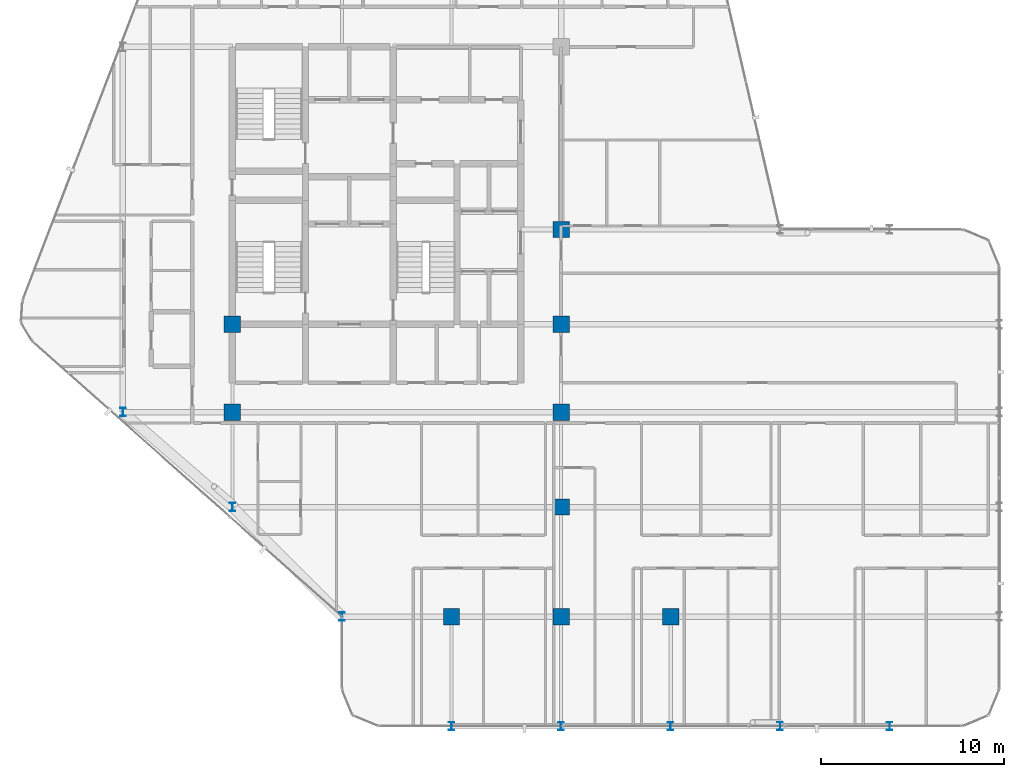
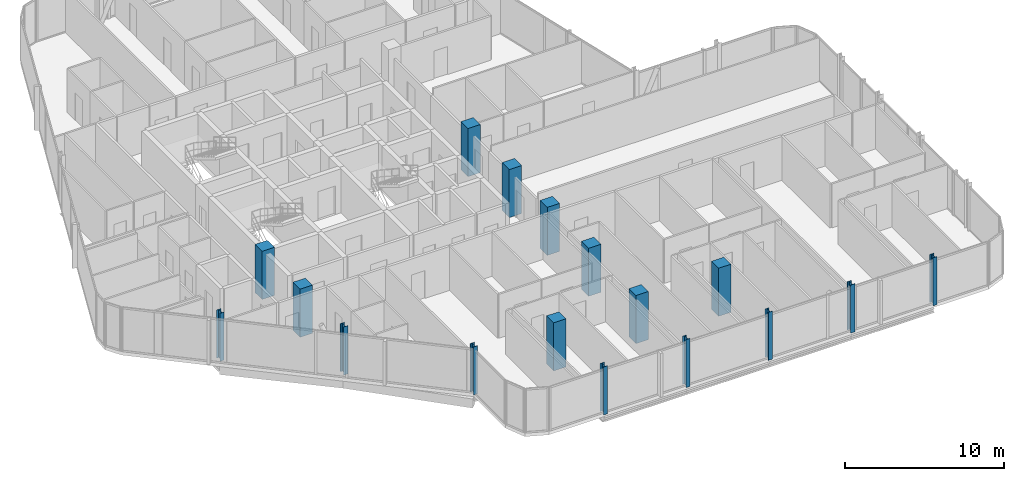
# One storey, part 1 of 29: 17 columns.
"""IFC4 building model written with IfcOpenShell, lengths in metres."""

import ifcopenshell
import ifcopenshell.guid

model = None  # the IFC model being written
_history = None  # IfcOwnerHistory: only IFC2X3 demands one
_inside = {}  # id of a spatial element -> (the spatial element, [elements in it])
_under = {}  # id of a project, library or spatial element -> (it, [spatial elements below it])
_declared = {}  # id of a project -> (the project, [libraries it declares])
_typed = {}  # id of a type object -> (the type object, [elements of that type])
_made_of = {}  # id of a material, layer set ... -> (it, [elements and type objects made of it])


def new_model(schema):
    """Start an empty IFC model of exactly this schema.

    Asked for "IFC4X3", IfcOpenShell would pick the latest addendum, in which some entities
    have other attributes; the version numbers below select the first issue.
    IFC2X3 requires an IfcOwnerHistory on every rooted entity: one is made here for all.
    """
    global model, _history
    if schema == "IFC4X3":
        model = ifcopenshell.file(schema_version=(4, 3, 0, 0))
    else:
        model = ifcopenshell.file(schema=schema)
    _inside.clear()
    _under.clear()
    _declared.clear()
    _typed.clear()
    _made_of.clear()
    _history = None
    if model.schema == "IFC2X3":
        org = make("IfcOrganization", Name="unknown")
        user = make(
            "IfcPersonAndOrganization",
            ThePerson=make("IfcPerson", FamilyName="unknown"),
            TheOrganization=org,
        )
        app = make(
            "IfcApplication",
            ApplicationDeveloper=org,
            Version="unknown",
            ApplicationFullName="unknown",
            ApplicationIdentifier="unknown",
        )
        _history = make(
            "IfcOwnerHistory",
            OwningUser=user,
            OwningApplication=app,
            ChangeAction="ADDED",
            CreationDate=0,
        )
    return model


def make(cls, **values):
    """One entity of the class cls with the attributes given. An attribute that is None is left unset."""
    return model.create_entity(
        cls, **{name: value for name, value in values.items() if value is not None}
    )


def rooted(cls, **values):
    """An entity with a GlobalId (a new one), such as an element, a storey or a relation."""
    return make(cls, GlobalId=ifcopenshell.guid.new(), OwnerHistory=_history, **values)


def si_unit(unit_type, name, prefix=None):
    """IfcSIUnit, for example si_unit("LENGTHUNIT", "METRE", prefix="MILLI")."""
    return make("IfcSIUnit", UnitType=unit_type, Prefix=prefix, Name=name)


def assignment(units):
    """IfcUnitAssignment: the units of a project."""
    return None if units is None else make("IfcUnitAssignment", Units=units)


def point(xyz):
    """IfcCartesianPoint."""
    return None if xyz is None else make("IfcCartesianPoint", Coordinates=xyz)


def direction(xyz):
    """IfcDirection."""
    return None if xyz is None else make("IfcDirection", DirectionRatios=xyz)


def frame(location, z_axis=None, x_axis=None):
    """IfcAxis2Placement3D, a coordinate frame: its origin and axes. An axis left out is left unset."""
    return make(
        "IfcAxis2Placement3D",
        Location=point(location),
        Axis=direction(z_axis),
        RefDirection=direction(x_axis),
    )


def frame_2d(location, x_axis=None):
    """IfcAxis2Placement2D, a coordinate frame in the plane: its origin and x axis."""
    return make(
        "IfcAxis2Placement2D", Location=point(location), RefDirection=direction(x_axis)
    )


def origin():
    """The frame at (0, 0, 0) with its axes left unset."""
    return frame((0.0, 0.0, 0.0))


def origin_2d():
    """The frame at (0, 0) in the plane with its x axis left unset."""
    return frame_2d((0.0, 0.0))


def place(relative_to, where):
    """IfcLocalPlacement: puts the frame where relative to a parent placement (None: the world)."""
    return make(
        "IfcLocalPlacement", PlacementRelTo=relative_to, RelativePlacement=where
    )


def context(
    kind, dimensions, precision=None, world=None, true_north=None, identifier=None
):
    """IfcGeometricRepresentationContext, for example the 3D "Model" context."""
    return make(
        "IfcGeometricRepresentationContext",
        ContextIdentifier=identifier,
        ContextType=kind,
        CoordinateSpaceDimension=dimensions,
        Precision=precision,
        WorldCoordinateSystem=world,
        TrueNorth=true_north,
    )


def subcontext(parent, identifier, kind, view, scale=None):
    """IfcGeometricRepresentationSubContext, for example "Body" below "Model"."""
    return make(
        "IfcGeometricRepresentationSubContext",
        ContextIdentifier=identifier,
        ContextType=kind,
        ParentContext=parent,
        TargetScale=scale,
        TargetView=view,
    )


def project(units=None, contexts=None):
    """IfcProject with its units and contexts."""
    return rooted(
        "IfcProject",
        Name="project",
        RepresentationContexts=contexts,
        UnitsInContext=assignment(units),
    )


def spatial(cls, under=None, at=None, **own):
    """A site, building, storey or space (cls), placed at a placement, below another one or the project."""
    s = rooted(cls, ObjectPlacement=at, **own)
    if under is not None:
        _under.setdefault(under.id(), (under, []))[1].append(s)
    return s


def profile(cls, at=None, kind="AREA", **sizes):
    """A parametric profile (cls). Its sizes go by their IFC names, for example OverallWidth=200.0."""
    return make(cls, ProfileType=kind, Position=at, **sizes)


def rectangle(**sizes):
    """IfcRectangleProfileDef."""
    return profile("IfcRectangleProfileDef", **sizes)


def i_section(**sizes):
    """IfcIShapeProfileDef."""
    return profile("IfcIShapeProfileDef", **sizes)


def extrude(swept, where, along, depth):
    """IfcExtrudedAreaSolid: the profile swept, set in the frame where, extruded along a direction by depth."""
    return make(
        "IfcExtrudedAreaSolid",
        SweptArea=swept,
        Position=where,
        ExtrudedDirection=direction(along),
        Depth=depth,
    )


def shape(context_of_items, identifier, shape_type, items):
    """IfcShapeRepresentation: the items that make up one representation, for example the "Body"."""
    return make(
        "IfcShapeRepresentation",
        ContextOfItems=context_of_items,
        RepresentationIdentifier=identifier,
        RepresentationType=shape_type,
        Items=items,
    )


def material(Name=None, Category=None):
    """IfcMaterial."""
    return make("IfcMaterial", Name=Name, Category=Category)


def material_profile(
    of_material, cross_section, Name=None, Category=None, Priority=None
):
    """IfcMaterialProfile: a cross section and its material."""
    return make(
        "IfcMaterialProfile",
        Name=Name,
        Material=of_material,
        Profile=cross_section,
        Priority=Priority,
        Category=Category,
    )


def profile_set(profiles, Name=None, composite=None):
    """IfcMaterialProfileSet."""
    return make(
        "IfcMaterialProfileSet",
        Name=Name,
        MaterialProfiles=profiles,
        CompositeProfile=composite,
    )


def made_of(thing, what):
    """Note that an element or type object is made of a material, layer set ...; save() writes the relation."""
    if what is not None:
        _made_of.setdefault(what.id(), (what, []))[1].append(thing)
    return thing


def type_object(cls, material=None, **own):
    """A type object (cls), such as IfcWallType, which elements share."""
    return made_of(rooted(cls, **own), material)


def element(
    cls,
    number,
    at=None,
    inside=None,
    cuts=None,
    type_object=None,
    material=None,
    context=None,
    identifier="Body",
    shape_type=None,
    held_by="IfcProductDefinitionShape",
    body=None,
    shapes=None,
    **own,
):
    """One element of the class cls, such as IfcWall. Its Tag is "e" and its number.

    at: its placement. inside: the storey or other place that contains it. cuts: it is an
    opening in that element (IfcRelVoidsElement). A single representation is given by context,
    identifier, shape_type and body (its items); several are given by shapes. held_by: the class
    of the entity that holds the representations. save() writes the other relations.
    """
    e = rooted(cls, Tag="e%d" % number, ObjectPlacement=at, **own)
    if body is not None:
        shapes = [shape(context, identifier, shape_type, body)]
    if shapes is not None:
        e.Representation = make(held_by, Representations=shapes)
    if inside is not None:
        _inside.setdefault(inside.id(), (inside, []))[1].append(e)
    if cuts is not None:
        rooted(
            "IfcRelVoidsElement", RelatingBuildingElement=cuts, RelatedOpeningElement=e
        )
    if type_object is not None:
        _typed.setdefault(type_object.id(), (type_object, []))[1].append(e)
    return made_of(e, material)


def aggregate(whole, parts):
    """IfcRelAggregates: a whole, such as a stair, and the parts it consists of."""
    return rooted("IfcRelAggregates", RelatingObject=whole, RelatedObjects=parts)


def save(model, path):
    """Write the relations noted so far, then the file.

    IfcRelAggregates (storeys below a building ...), IfcRelContainedInSpatialStructure (elements
    in a storey), IfcRelDefinesByType, IfcRelAssociatesMaterial and IfcRelDeclares: one each for
    every whole, place, type object, material and project.
    """
    for whole, parts in _under.values():
        aggregate(whole, parts)
    for where, things in _inside.values():
        rooted(
            "IfcRelContainedInSpatialStructure",
            RelatedElements=things,
            RelatingStructure=where,
        )
    for kind, things in _typed.values():
        rooted("IfcRelDefinesByType", RelatedObjects=things, RelatingType=kind)
    for what, things in _made_of.values():
        rooted("IfcRelAssociatesMaterial", RelatedObjects=things, RelatingMaterial=what)
    for by, libraries in _declared.values():
        rooted("IfcRelDeclares", RelatingContext=by, RelatedDefinitions=libraries)
    model.write(path)


model = new_model("IFC4")

# Units and contexts
model_context = context("Model", 3, precision=1e-05, world=origin(), true_north=direction((0.0, 1.0)))
body_context = subcontext(model_context, "Body", "Model", "MODEL_VIEW")
ifc_project = project(units=[si_unit("LENGTHUNIT", "METRE"), si_unit("AREAUNIT", "SQUARE_METRE"), si_unit("VOLUMEUNIT", "CUBIC_METRE"), si_unit("PLANEANGLEUNIT", "RADIAN"), si_unit("MASSUNIT", "GRAM", prefix="KILO")], contexts=[model_context])

# Site, building, storey
site_placement = place(None, origin())
site = spatial("IfcSite", under=ifc_project, at=site_placement, CompositionType="ELEMENT")
building_placement = place(site_placement, origin())
building = spatial("IfcBuilding", under=site, at=building_placement, Name="Keshet Zoharim Tower", CompositionType="ELEMENT")
storey_placement = place(building_placement, frame((0.0, 0.0, 180.199951171875)))
storey = spatial("IfcBuildingStorey", under=building, at=storey_placement, Name="L44", CompositionType="ELEMENT", Elevation=180.199951171875)

# Columns
ifc_material_1 = material(Name="Steel S355", Category="steel")
ifc_material_profile_1 = material_profile(ifc_material_1, i_section(OverallWidth=0.300048828125, OverallDepth=0.449951171875, WebThickness=0.013916015625, FlangeThickness=0.02587890625, FilletRadius=0.027099609375, at=origin_2d()), Name="HEB450")
ifc_profile_set_1 = profile_set([ifc_material_profile_1], Name="Steel S355")
column_type_1 = type_object("IfcColumnType", Name="COL-HEB450", PredefinedType="COLUMN", material=ifc_profile_set_1)
for number, where, z_axis, x_axis, name in (
    (1, (9.0, 17.89990234375, 0.0), (0.0, 0.0, 1.0), (1.0, 0.0, 0.0), "L44 Column 2D"),
    (2, (15.0, 12.699951171875, 0.0), (0.0, 0.0, 1.0), (1.0, 0.0, 0.0), "L44 Column 3C"),
    (3, (21.0, 6.699951171875, 0.0), (0.0, 0.0, 1.0), (1.0, 0.0, 0.0), "L44 Column 4B"),
    (4, (27.0, 0.699951171875, 0.0), (0.0, 0.0, 1.0), (1.0, 0.0, 0.0), "L44 Column 5A"),
    (5, (33.0, 0.699951171875, 0.0), (0.0, 0.0, 1.0), (1.0, 0.0, 0.0), "L44 Column 6A"),
    (6, (39.0, 0.699951171875, 0.0), (0.0, 0.0, 1.0), (1.0, 0.0, 0.0), "L44 Column 7A"),
    (7, (45.0, 0.699951171875, 0.0), (0.0, 0.0, 1.0), (1.0, 0.0, 0.0), "L44 Column 8A"),
    (8, (51.0, 0.699951171875, 0.0), (0.0, 0.0, 1.0), (1.0, 0.0, 0.0), "L44 Column 9A"),
):
    element("IfcColumn", number, at=place(storey_placement, frame(where, z_axis=z_axis, x_axis=x_axis)), inside=storey, type_object=column_type_1, Name=name, PredefinedType="COLUMN", context=body_context, shape_type="SweptSolid", body=[
        extrude(i_section(OverallWidth=0.300048828125, OverallDepth=0.449951171875, WebThickness=0.013916015625, FlangeThickness=0.02587890625, FilletRadius=0.027099609375, at=origin_2d()), origin(), (0.0, 0.0, 1.0), 3.699951171875),
    ])
ifc_material_2 = material(Name="Concrete C60/75", Category="concrete")
ifc_material_profile_2 = material_profile(ifc_material_2, rectangle(XDim=0.89990234375, YDim=0.89990234375, at=origin_2d()), Name="RC900x900")
ifc_profile_set_2 = profile_set([ifc_material_profile_2], Name="Concrete C60/75")
column_type_2 = type_object("IfcColumnType", Name="COL-RC900", PredefinedType="COLUMN", material=ifc_profile_set_2)
for number, where, z_axis, x_axis, name in (
    (9, (15.0, 17.89990234375, 0.0), (0.0, 0.0, 1.0), (1.0, 0.0, 0.0), "L44 Column 3D"),
    (10, (15.0, 22.699951171875, 0.0), (0.0, 0.0, 1.0), (1.0, 0.0, 0.0), "L44 Column 3E"),
    (11, (27.0, 6.699951171875, 0.0), (0.0, 0.0, 1.0), (1.0, 0.0, 0.0), "L44 Column 5B"),
    (12, (33.0, 6.699951171875, 0.0), (0.0, 0.0, 1.0), (1.0, 0.0, 0.0), "L44 Column 6B"),
    (13, (33.0, 12.699951171875, 0.0), (0.0, 0.0, 1.0), (1.0, 0.0, 0.0), "L44 Column 6C"),
    (14, (33.0, 17.89990234375, 0.0), (0.0, 0.0, 1.0), (1.0, 0.0, 0.0), "L44 Column 6D"),
    (15, (33.0, 22.699951171875, 0.0), (0.0, 0.0, 1.0), (1.0, 0.0, 0.0), "L44 Column 6E"),
    (16, (33.0, 27.89990234375, 0.0), (0.0, 0.0, 1.0), (1.0, 0.0, 0.0), "L44 Column 6F"),
    (17, (39.0, 6.699951171875, 0.0), (0.0, 0.0, 1.0), (1.0, 0.0, 0.0), "L44 Column 7B"),
):
    element("IfcColumn", number, at=place(storey_placement, frame(where, z_axis=z_axis, x_axis=x_axis)), inside=storey, type_object=column_type_2, Name=name, PredefinedType="COLUMN", context=body_context, shape_type="SweptSolid", body=[
        extrude(rectangle(XDim=0.89990234375, YDim=0.89990234375, at=origin_2d()), origin(), (0.0, 0.0, 1.0), 3.699951171875),
    ])

save(model, "model.ifc")
